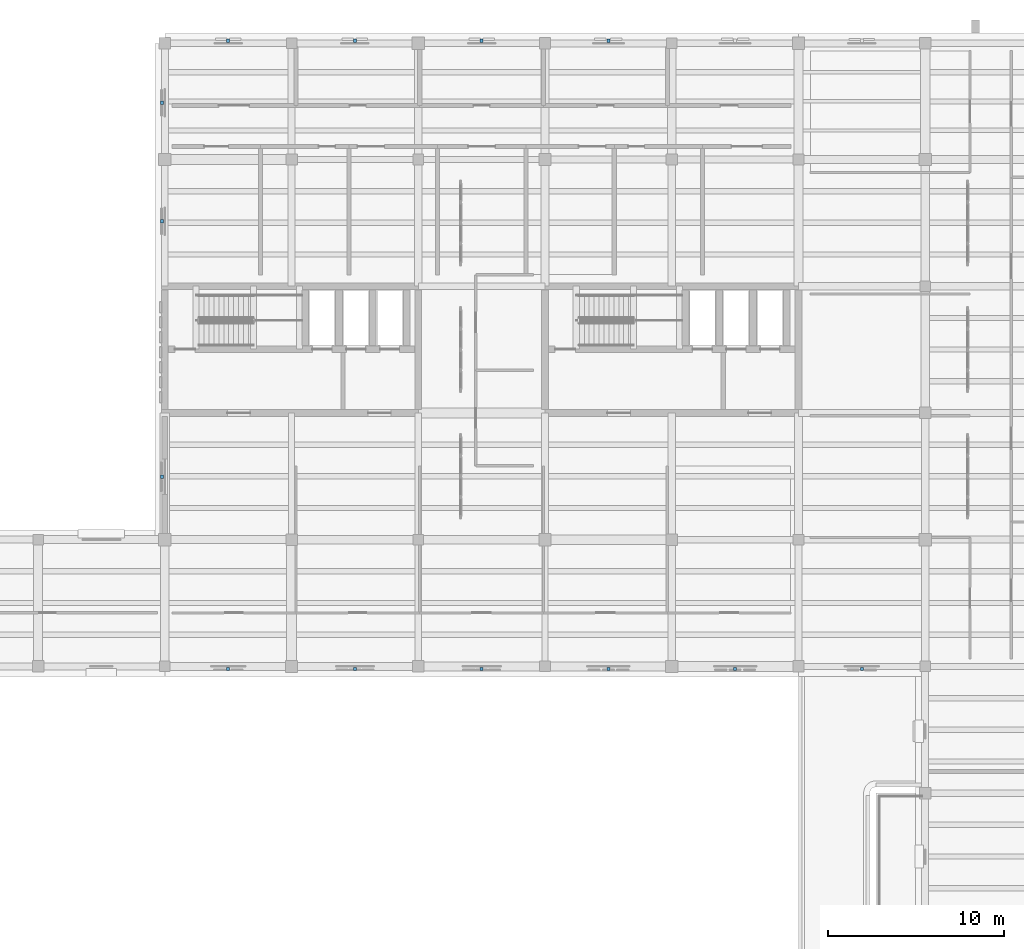
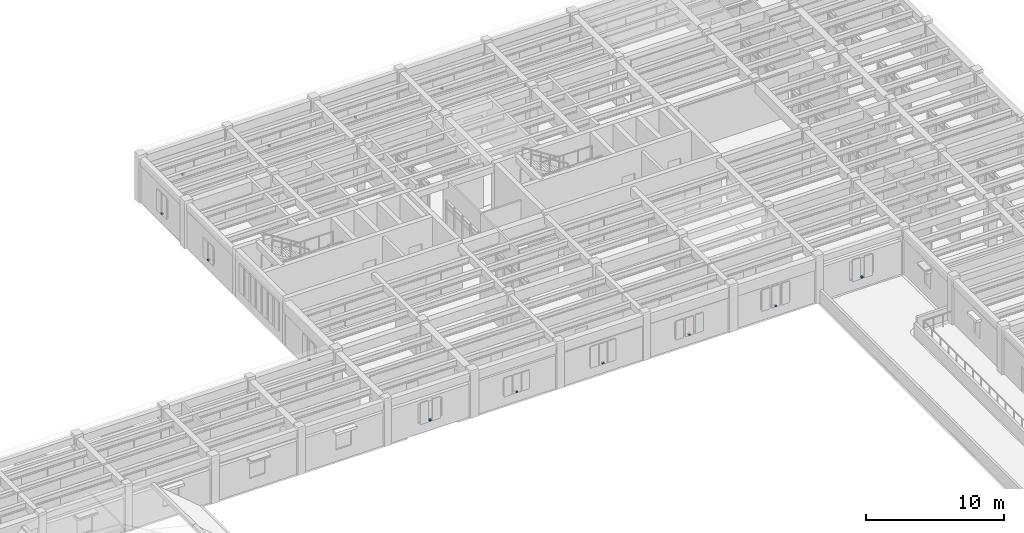
# One storey, part 31 of 40: 13 discrete accessories.
"""IFC4 building model written with IfcOpenShell, lengths in metres."""

from ifc_helpers import new_model, si_unit, direction, frame, origin, origin_2d, place, context, subcontext, project, spatial, rectangle, extrude, material, type_object, element, save


model = new_model("IFC4")

# Units and contexts
model_context = context("Model", 3, precision=1e-05, world=origin(), true_north=direction((0.0, 1.0)))
body_context = subcontext(model_context, "Body", "Model", "MODEL_VIEW")
ifc_project = project(units=[si_unit("LENGTHUNIT", "METRE"), si_unit("AREAUNIT", "SQUARE_METRE"), si_unit("VOLUMEUNIT", "CUBIC_METRE"), si_unit("PLANEANGLEUNIT", "RADIAN"), si_unit("MASSUNIT", "GRAM", prefix="KILO")], contexts=[model_context])

# Site, building, storey
site_placement = place(None, origin())
site = spatial("IfcSite", under=ifc_project, at=site_placement, CompositionType="ELEMENT")
building_placement = place(site_placement, origin())
building = spatial("IfcBuilding", under=site, at=building_placement, Name="Mithqara Police Headquarters", CompositionType="ELEMENT")
storey_placement = place(building_placement, frame((0.0, 0.0, 13.800048828125)))
storey = spatial("IfcBuildingStorey", under=building, at=storey_placement, Name="L03", CompositionType="ELEMENT", Elevation=13.800048828125)

# Discrete accessories
ifc_material = material(Name="Steel S355JR", Category="steel")
discrete_accessory_type = type_object("IfcDiscreteAccessoryType", Name="SCREEN BRACKET SS", PredefinedType="BRACKET", material=ifc_material)
for number, where, z_axis, x_axis, name in (
    (1, (112.199951171875, 78.449951171875, 0.849853515625), (0.0, 0.0, 1.0), (1.0, 0.0, 0.0), "L03 Stone Screen Support Bracket 6.1"),
    (2, (119.39990234375, 78.449951171875, 0.849853515625), (0.0, 0.0, 1.0), (1.0, 0.0, 0.0), "L03 Stone Screen Support Bracket 6.2"),
    (3, (126.60009765625, 78.449951171875, 0.849853515625), (0.0, 0.0, 1.0), (1.0, 0.0, 0.0), "L03 Stone Screen Support Bracket 6.3"),
    (4, (133.800048828125, 78.449951171875, 0.849853515625), (0.0, 0.0, 1.0), (1.0, 0.0, 0.0), "L03 Stone Screen Support Bracket 6.4"),
    (5, (141.0, 78.449951171875, 0.849853515625), (0.0, 0.0, 1.0), (1.0, 0.0, 0.0), "L03 Stone Screen Support Bracket 6.5"),
    (6, (148.199951171875, 78.449951171875, 0.849853515625), (0.0, 0.0, 1.0), (1.0, 0.0, 0.0), "L03 Stone Screen Support Bracket 7.1"),
    (7, (112.199951171875, 114.14990234375, 0.849853515625), (0.0, 0.0, 1.0), (1.0, 0.0, 0.0), "L03 Stone Screen Support Bracket 13.1"),
    (8, (119.39990234375, 114.14990234375, 0.849853515625), (0.0, 0.0, 1.0), (1.0, 0.0, 0.0), "L03 Stone Screen Support Bracket 13.2"),
    (9, (126.60009765625, 114.14990234375, 0.849853515625), (0.0, 0.0, 1.0), (1.0, 0.0, 0.0), "L03 Stone Screen Support Bracket 13.3"),
    (10, (133.800048828125, 114.14990234375, 0.849853515625), (0.0, 0.0, 1.0), (1.0, 0.0, 0.0), "L03 Stone Screen Support Bracket 13.4"),
    (11, (108.449951171875, 103.89501953125, 0.849853515625), (0.0, 0.0, 1.0), (0.0, 1.0, 0.0), "L03 Stone Screen Support Bracket 14.1"),
    (12, (108.449951171875, 110.625, 0.849853515625), (0.0, 0.0, 1.0), (0.0, 1.0, 0.0), "L03 Stone Screen Support Bracket 14.2"),
    (13, (108.449951171875, 89.3798828125, 0.849853515625), (0.0, 0.0, 1.0), (0.0, 1.0, 0.0), "L03 Stone Screen Support Bracket 14.1"),
):
    element("IfcDiscreteAccessory", number, at=place(storey_placement, frame(where, z_axis=z_axis, x_axis=x_axis)), inside=storey, type_object=discrete_accessory_type, Name=name, PredefinedType="BRACKET", context=body_context, shape_type="SweptSolid", body=[
        extrude(rectangle(XDim=0.179931640625, YDim=0.179931640625, at=origin_2d()), origin(), (0.0, 0.0, 1.0), 0.1201171875),
    ])

save(model, "model.ifc")
